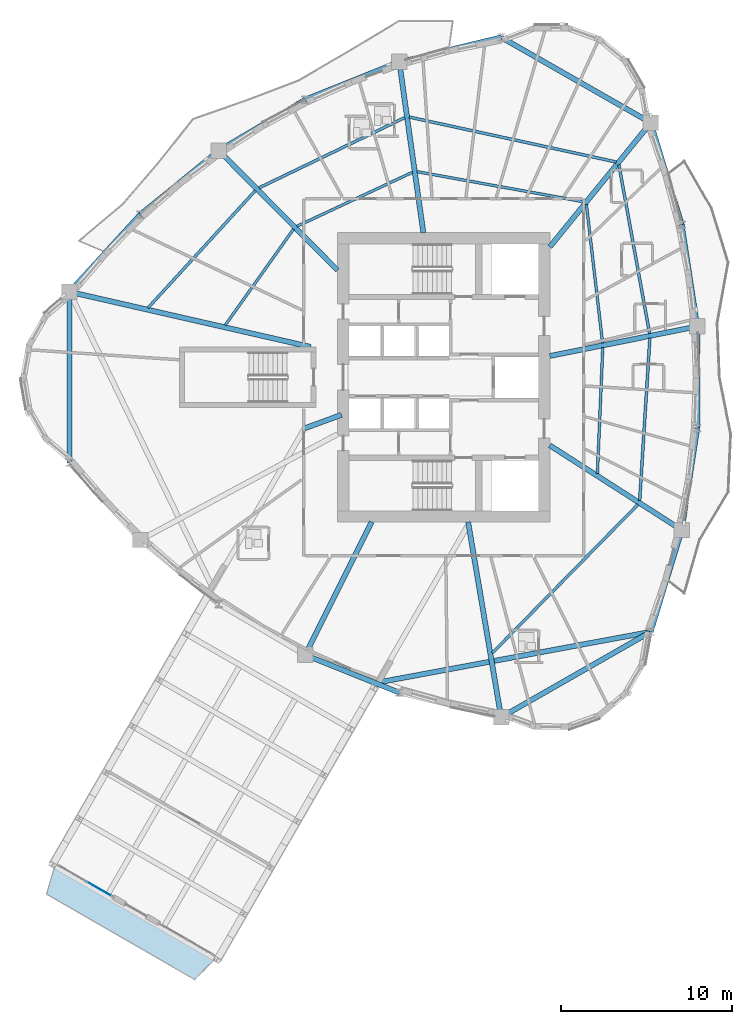
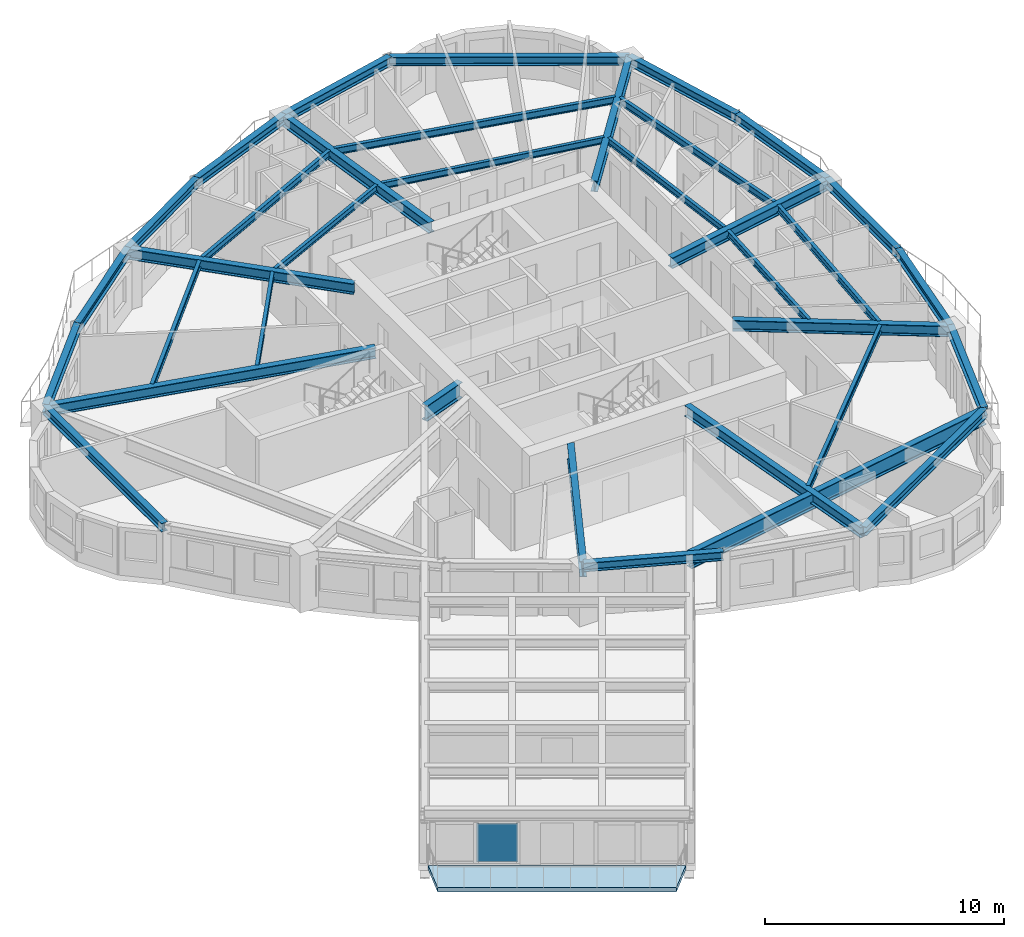
# One storey, part 3 of 17: 35 beams, 1 plate, 1 slab, 1 element without a shape of its own.
"""IFC4 building model written with IfcOpenShell, lengths in metres."""

from ifc_helpers import new_model, si_unit, direction, frame, origin, origin_2d, place, context, subcontext, project, spatial, polyline, rectangle, i_section, outline, extrude, source, transform, mapped, material, layer, layer_set, material_profile, profile_set, type_object, element, aggregate, save


model = new_model("IFC4")

# Units and contexts
model_context = context("Model", 3, precision=1e-05, world=origin(), true_north=direction((0.0, 1.0)))
body_context = subcontext(model_context, "Body", "Model", "MODEL_VIEW")
ifc_project = project(units=[si_unit("LENGTHUNIT", "METRE"), si_unit("AREAUNIT", "SQUARE_METRE"), si_unit("VOLUMEUNIT", "CUBIC_METRE"), si_unit("PLANEANGLEUNIT", "RADIAN"), si_unit("MASSUNIT", "GRAM", prefix="KILO")], contexts=[model_context])

# Site, building, storey
site_placement = place(None, origin())
site = spatial("IfcSite", under=ifc_project, at=site_placement, CompositionType="ELEMENT")
building_placement = place(site_placement, origin())
building = spatial("IfcBuilding", under=site, at=building_placement, Name="Qafzar Sky-Pleat Residences", CompositionType="ELEMENT")
storey_placement = place(building_placement, frame((0.0, 0.0, 112.0)))
storey = spatial("IfcBuildingStorey", under=building, at=storey_placement, Name="L33", CompositionType="ELEMENT", Elevation=112.0)

# Beams
ifc_material_1 = material(Name="Steel S355", Category="steel")
ifc_material_profile_1 = material_profile(ifc_material_1, i_section(OverallWidth=0.300048828125, OverallDepth=0.449951171875, WebThickness=0.013916015625, FlangeThickness=0.02587890625, FilletRadius=0.027099609375, at=origin_2d()), Name="HEB 450")
ifc_profile_set_1 = profile_set([ifc_material_profile_1], Name="Steel S355")
beam_type_1 = type_object("IfcBeamType", Name="BM-SPAN-HEB450", PredefinedType="SPANDREL", material=ifc_profile_set_1)
shared_shape_1 = source(origin(), body_context, "Body", "SweptSolid", [
    extrude(i_section(OverallWidth=0.300048828125, OverallDepth=0.449951171875, WebThickness=0.013916015625, FlangeThickness=0.02587890625, FilletRadius=0.027099609375, at=origin_2d()), origin(), (0.0, 0.0, 1.0), 10.072021484375),
])
for number, where, z_axis, x_axis, name in (
    (1, (33.704345703125, 6.12841796875, 2.7080078125), (0.868302801994, 0.496034519011, 0.0), (-0.496034519011, 0.868302801994, 0.0), "L33 Perimeter Spandrel Beam 7"),
    (2, (42.449951171875, 40.87548828125, 2.7080078125), (-0.868302801994, 0.496034519011, 0.0), (-0.496034519011, -0.868302801994, 0.0), "L33 Perimeter Spandrel Beam 13"),
):
    element("IfcBeam", number, at=place(storey_placement, frame(where, z_axis=z_axis, x_axis=x_axis)), inside=storey, type_object=beam_type_1, Name=name, PredefinedType="SPANDREL", context=body_context, shape_type="MappedRepresentation", body=[
        mapped(shared_shape_1, transform((0.0, 0.0, 0.0), x_axis=(1.0, 0.0, 0.0), y_axis=(0.0, 1.0, 0.0), z_axis=(0.0, 0.0, 1.0), scale=1.0)),
    ])
shared_shape_2 = source(origin(), body_context, "Body", "SweptSolid", [
    extrude(i_section(OverallWidth=0.300048828125, OverallDepth=0.449951171875, WebThickness=0.013916015625, FlangeThickness=0.02587890625, FilletRadius=0.027099609375, at=origin_2d()), origin(), (0.0, 0.0, 1.0), 9.99267578125),
])
beam_1_placement = place(storey_placement, frame((8.47412109375, 30.996337890625, 2.7080078125), z_axis=(0.0, -1.0, 0.0), x_axis=(1.0, 0.0, 0.0)))
element("IfcBeam", 3, at=beam_1_placement, inside=storey, type_object=beam_type_1, Name="L33 Perimeter Spandrel Beam 1", PredefinedType="SPANDREL", context=body_context, shape_type="MappedRepresentation", body=[
    mapped(shared_shape_2, transform((0.0, 0.0, 0.0), x_axis=(1.0, 0.0, 0.0), y_axis=(0.0, 1.0, 0.0), z_axis=(0.0, 0.0, 1.0), scale=1.0)),
])
shared_shape_3 = source(origin(), body_context, "Body", "SweptSolid", [
    extrude(i_section(OverallWidth=0.300048828125, OverallDepth=0.449951171875, WebThickness=0.013916015625, FlangeThickness=0.02587890625, FilletRadius=0.027099609375, at=origin_2d()), origin(), (0.0, 0.0, 1.0), 6.12255859375),
])
beam_2_placement = place(storey_placement, frame((12.61572265625, 35.50537109375, 2.7080078125), z_axis=(-0.676462829948, -0.736476774718, 0.0), x_axis=(0.736476774718, -0.676462829948, 0.0)))
element("IfcBeam", 4, at=beam_2_placement, inside=storey, type_object=beam_type_1, Name="L33 Perimeter Spandrel Beam 18", PredefinedType="SPANDREL", context=body_context, shape_type="MappedRepresentation", body=[
    mapped(shared_shape_3, transform((0.0, 0.0, 0.0), x_axis=(1.0, 0.0, 0.0), y_axis=(0.0, 1.0, 0.0), z_axis=(0.0, 0.0, 1.0), scale=1.0)),
])
shared_shape_4 = source(origin(), body_context, "Body", "SweptSolid", [
    extrude(i_section(OverallWidth=0.300048828125, OverallDepth=0.449951171875, WebThickness=0.013916015625, FlangeThickness=0.02587890625, FilletRadius=0.027099609375, at=origin_2d()), origin(), (0.0, 0.0, 1.0), 5.9248046875),
])
beam_3_placement = place(storey_placement, frame((17.20947265625, 39.247314453125, 2.7080078125), z_axis=(-0.775326900383, -0.631560129792, 0.0), x_axis=(0.631560129792, -0.775326900383, 0.0)))
element("IfcBeam", 5, at=beam_3_placement, inside=storey, type_object=beam_type_1, Name="L33 Perimeter Spandrel Beam 17", PredefinedType="SPANDREL", context=body_context, shape_type="MappedRepresentation", body=[
    mapped(shared_shape_4, transform((0.0, 0.0, 0.0), x_axis=(1.0, 0.0, 0.0), y_axis=(0.0, 1.0, 0.0), z_axis=(0.0, 0.0, 1.0), scale=1.0)),
])
shared_shape_5 = source(origin(), body_context, "Body", "SweptSolid", [
    extrude(i_section(OverallWidth=0.300048828125, OverallDepth=0.449951171875, WebThickness=0.013916015625, FlangeThickness=0.02587890625, FilletRadius=0.027099609375, at=origin_2d()), origin(), (0.0, 0.0, 1.0), 5.85791015625),
])
beam_4_placement = place(storey_placement, frame((22.255615234375, 42.222412109375, 2.7080078125), z_axis=(-0.861428087591, -0.507879562406, 0.0), x_axis=(0.507879562406, -0.861428087591, 0.0)))
element("IfcBeam", 6, at=beam_4_placement, inside=storey, type_object=beam_type_1, Name="L33 Perimeter Spandrel Beam 16", PredefinedType="SPANDREL", context=body_context, shape_type="MappedRepresentation", body=[
    mapped(shared_shape_5, transform((0.0, 0.0, 0.0), x_axis=(1.0, 0.0, 0.0), y_axis=(0.0, 1.0, 0.0), z_axis=(0.0, 0.0, 1.0), scale=1.0)),
])
shared_shape_6 = source(origin(), body_context, "Body", "SweptSolid", [
    extrude(i_section(OverallWidth=0.300048828125, OverallDepth=0.449951171875, WebThickness=0.013916015625, FlangeThickness=0.02587890625, FilletRadius=0.027099609375, at=origin_2d()), origin(), (0.0, 0.0, 1.0), 5.925048828125),
])
for number, where, z_axis, x_axis, name in (
    (7, (22.255615234375, 9.777587890625, 2.7080078125), (0.927955757549, -0.372690370189, 0.0), (0.372690370189, 0.927955757549, 0.0), "L33 Perimeter Spandrel Beam 5"),
    (8, (27.75390625, 44.4306640625, 2.7080078125), (-0.927955757549, -0.372690370189, 0.0), (0.372690370189, -0.927955757549, 0.0), "L33 Perimeter Spandrel Beam 15"),
):
    element("IfcBeam", number, at=place(storey_placement, frame(where, z_axis=z_axis, x_axis=x_axis)), inside=storey, type_object=beam_type_1, Name=name, PredefinedType="SPANDREL", context=body_context, shape_type="MappedRepresentation", body=[
        mapped(shared_shape_6, transform((0.0, 0.0, 0.0), x_axis=(1.0, 0.0, 0.0), y_axis=(0.0, 1.0, 0.0), z_axis=(0.0, 0.0, 1.0), scale=1.0)),
    ])
shared_shape_7 = source(origin(), body_context, "Body", "SweptSolid", [
    extrude(i_section(OverallWidth=0.300048828125, OverallDepth=0.449951171875, WebThickness=0.013916015625, FlangeThickness=0.02587890625, FilletRadius=0.027099609375, at=origin_2d()), origin(), (0.0, 0.0, 1.0), 6.122314453125),
])
beam_5_placement = place(storey_placement, frame((33.704345703125, 45.87158203125, 2.7080078125), z_axis=(-0.971910390101, -0.235351213325, 0.0), x_axis=(0.235351213325, -0.971910390101, 0.0)))
element("IfcBeam", 9, at=beam_5_placement, inside=storey, type_object=beam_type_1, Name="L33 Perimeter Spandrel Beam 14", PredefinedType="SPANDREL", context=body_context, shape_type="MappedRepresentation", body=[
    mapped(shared_shape_7, transform((0.0, 0.0, 0.0), x_axis=(1.0, 0.0, 0.0), y_axis=(0.0, 1.0, 0.0), z_axis=(0.0, 0.0, 1.0), scale=1.0)),
])
shared_shape_8 = source(origin(), body_context, "Body", "SweptSolid", [
    extrude(i_section(OverallWidth=0.300048828125, OverallDepth=0.449951171875, WebThickness=0.013916015625, FlangeThickness=0.02587890625, FilletRadius=0.027099609375, at=origin_2d()), origin(), (0.0, 0.0, 1.0), 6.218994140625),
])
for number, where, z_axis, x_axis, name in (
    (10, (42.449951171875, 11.12451171875, 2.7080078125), (0.29085386248, 0.956767490397, 0.0), (-0.956767490397, 0.29085386248, 0.0), "L33 Perimeter Spandrel Beam 8"),
    (11, (44.2587890625, 34.92529296875, 2.7080078125), (-0.29085386248, 0.956767490397, 0.0), (-0.956767490397, -0.29085386248, 0.0), "L33 Perimeter Spandrel Beam 12"),
):
    element("IfcBeam", number, at=place(storey_placement, frame(where, z_axis=z_axis, x_axis=x_axis)), inside=storey, type_object=beam_type_1, Name=name, PredefinedType="SPANDREL", context=body_context, shape_type="MappedRepresentation", body=[
        mapped(shared_shape_8, transform((0.0, 0.0, 0.0), x_axis=(1.0, 0.0, 0.0), y_axis=(0.0, 1.0, 0.0), z_axis=(0.0, 0.0, 1.0), scale=1.0)),
    ])
shared_shape_9 = source(origin(), body_context, "Body", "SweptSolid", [
    extrude(i_section(OverallWidth=0.300048828125, OverallDepth=0.449951171875, WebThickness=0.013916015625, FlangeThickness=0.02587890625, FilletRadius=0.027099609375, at=origin_2d()), origin(), (0.0, 0.0, 1.0), 6.0185546875),
])
for number, where, z_axis, x_axis, name in (
    (12, (44.2587890625, 17.07470703125, 2.7080078125), (0.150292027839, 0.988641647094, 0.0), (-0.988641647094, 0.150292027839, 0.0), "L33 Perimeter Spandrel Beam 9"),
    (13, (45.163330078125, 28.97509765625, 2.7080078125), (-0.150292027839, 0.988641647094, 0.0), (-0.988641647094, -0.150292027839, 0.0), "L33 Perimeter Spandrel Beam 11"),
):
    element("IfcBeam", number, at=place(storey_placement, frame(where, z_axis=z_axis, x_axis=x_axis)), inside=storey, type_object=beam_type_1, Name=name, PredefinedType="SPANDREL", context=body_context, shape_type="MappedRepresentation", body=[
        mapped(shared_shape_9, transform((0.0, 0.0, 0.0), x_axis=(1.0, 0.0, 0.0), y_axis=(0.0, 1.0, 0.0), z_axis=(0.0, 0.0, 1.0), scale=1.0)),
    ])
shared_shape_10 = source(origin(), body_context, "Body", "SweptSolid", [
    extrude(i_section(OverallWidth=0.300048828125, OverallDepth=0.449951171875, WebThickness=0.013916015625, FlangeThickness=0.02587890625, FilletRadius=0.027099609375, at=origin_2d()), origin(), (0.0, 0.0, 1.0), 5.9501953125),
])
beam_6_placement = place(storey_placement, frame((45.163330078125, 23.02490234375, 2.7080078125), z_axis=(0.0, 1.0, 0.0), x_axis=(-1.0, 0.0, 0.0)))
element("IfcBeam", 14, at=beam_6_placement, inside=storey, type_object=beam_type_1, Name="L33 Perimeter Spandrel Beam 10", PredefinedType="SPANDREL", context=body_context, shape_type="MappedRepresentation", body=[
    mapped(shared_shape_10, transform((0.0, 0.0, 0.0), x_axis=(1.0, 0.0, 0.0), y_axis=(0.0, 1.0, 0.0), z_axis=(0.0, 0.0, 1.0), scale=1.0)),
])
ifc_material_profile_2 = material_profile(ifc_material_1, i_section(OverallWidth=0.300048828125, OverallDepth=0.550048828125, WebThickness=0.014892578125, FlangeThickness=0.029052734375, FilletRadius=0.027099609375, at=origin_2d()), Name="HEB 550")
ifc_profile_set_2 = profile_set([ifc_material_profile_2], Name="Steel S355")
beam_type_2 = type_object("IfcBeamType", Name="BM-GIRD-HEB550", PredefinedType="BEAM", material=ifc_profile_set_2)
shared_shape_11 = source(origin(), body_context, "Body", "SweptSolid", [
    extrude(i_section(OverallWidth=0.300048828125, OverallDepth=0.550048828125, WebThickness=0.014892578125, FlangeThickness=0.029052734375, FilletRadius=0.027099609375, at=origin_2d()), origin(), (0.0, 0.0, 1.0), 14.467529296875),
])
beam_7_placement = place(storey_placement, frame((8.47412109375, 30.996337890625, 2.657958984375), z_axis=(0.974894417423, -0.222667633205, 0.0), x_axis=(0.222667633205, 0.974894417423, 0.0)))
element("IfcBeam", 15, at=beam_7_placement, inside=storey, type_object=beam_type_2, Name="L33 Radial Floor Girder 1", PredefinedType="BEAM", context=body_context, shape_type="MappedRepresentation", body=[
    mapped(shared_shape_11, transform((0.0, 0.0, 0.0), x_axis=(1.0, 0.0, 0.0), y_axis=(0.0, 1.0, 0.0), z_axis=(0.0, 0.0, 1.0), scale=1.0)),
])
ifc_material_2 = material(Name="Steel S460", Category="steel")
ifc_material_profile_3 = material_profile(ifc_material_2, i_section(OverallWidth=0.300048828125, OverallDepth=0.800048828125, WebThickness=0.017578125, FlangeThickness=0.032958984375, FilletRadius=0.030029296875, at=origin_2d()), Name="HEB 800")
ifc_profile_set_3 = profile_set([ifc_material_profile_3], Name="Steel S460")
beam_type_3 = type_object("IfcBeamType", Name="BM-CHORD-HEB800", PredefinedType="BEAM", material=ifc_profile_set_3)
shared_shape_12 = source(origin(), body_context, "Body", "SweptSolid", [
    extrude(i_section(OverallWidth=0.300048828125, OverallDepth=0.800048828125, WebThickness=0.017578125, FlangeThickness=0.032958984375, FilletRadius=0.030029296875, at=origin_2d()), origin(), (0.0, 0.0, 1.0), 8.686279296875),
])
beam_8_placement = place(storey_placement, frame((22.255615234375, 9.777587890625, 2.532958984375), z_axis=(0.446471430543, 0.894797888749, 0.0), x_axis=(-0.894797888749, 0.446471430543, 0.0)))
element("IfcBeam", 16, at=beam_8_placement, inside=storey, type_object=beam_type_3, Name="L33 Radial Floor Girder 5", PredefinedType="BEAM", context=body_context, shape_type="MappedRepresentation", body=[
    mapped(shared_shape_12, transform((0.0, 0.0, 0.0), x_axis=(1.0, 0.0, 0.0), y_axis=(0.0, 1.0, 0.0), z_axis=(0.0, 0.0, 1.0), scale=1.0)),
])
shared_shape_13 = source(origin(), body_context, "Body", "SweptSolid", [
    extrude(i_section(OverallWidth=0.300048828125, OverallDepth=0.550048828125, WebThickness=0.014892578125, FlangeThickness=0.029052734375, FilletRadius=0.027099609375, at=origin_2d()), origin(), (0.0, 0.0, 1.0), 11.583251953125),
])
beam_9_placement = place(storey_placement, frame((33.704345703125, 6.12841796875, 2.657958984375), z_axis=(-0.166445961411, 0.986050577775, 0.0), x_axis=(-0.986050577775, -0.166445961411, 0.0)))
element("IfcBeam", 17, at=beam_9_placement, inside=storey, type_object=beam_type_2, Name="L33 Radial Floor Girder 7", PredefinedType="BEAM", context=body_context, shape_type="MappedRepresentation", body=[
    mapped(shared_shape_13, transform((0.0, 0.0, 0.0), x_axis=(1.0, 0.0, 0.0), y_axis=(0.0, 1.0, 0.0), z_axis=(0.0, 0.0, 1.0), scale=1.0)),
])
shared_shape_14 = source(origin(), body_context, "Body", "SweptSolid", [
    extrude(i_section(OverallWidth=0.300048828125, OverallDepth=0.550048828125, WebThickness=0.014892578125, FlangeThickness=0.029052734375, FilletRadius=0.027099609375, at=origin_2d()), origin(), (0.0, 0.0, 1.0), 9.159423828125),
])
beam_10_placement = place(storey_placement, frame((44.2587890625, 17.07470703125, 2.657958984375), z_axis=(-0.841617276393, 0.540074402352, 0.0), x_axis=(-0.540074402352, -0.841617276393, 0.0)))
element("IfcBeam", 18, at=beam_10_placement, inside=storey, type_object=beam_type_2, Name="L33 Radial Floor Girder 9", PredefinedType="BEAM", context=body_context, shape_type="MappedRepresentation", body=[
    mapped(shared_shape_14, transform((0.0, 0.0, 0.0), x_axis=(1.0, 0.0, 0.0), y_axis=(0.0, 1.0, 0.0), z_axis=(0.0, 0.0, 1.0), scale=1.0)),
])
shared_shape_15 = source(origin(), body_context, "Body", "SweptSolid", [
    extrude(i_section(OverallWidth=0.300048828125, OverallDepth=0.550048828125, WebThickness=0.014892578125, FlangeThickness=0.029052734375, FilletRadius=0.027099609375, at=origin_2d()), origin(), (0.0, 0.0, 1.0), 8.785400390625),
])
beam_11_placement = place(storey_placement, frame((45.163330078125, 28.97509765625, 2.657958984375), z_axis=(-0.980420022931, -0.196917695082, 0.0), x_axis=(0.196917695082, -0.980420022931, 0.0)))
element("IfcBeam", 19, at=beam_11_placement, inside=storey, type_object=beam_type_2, Name="L33 Radial Floor Girder 11", PredefinedType="BEAM", context=body_context, shape_type="MappedRepresentation", body=[
    mapped(shared_shape_15, transform((0.0, 0.0, 0.0), x_axis=(1.0, 0.0, 0.0), y_axis=(0.0, 1.0, 0.0), z_axis=(0.0, 0.0, 1.0), scale=1.0)),
])
shared_shape_16 = source(origin(), body_context, "Body", "SweptSolid", [
    extrude(i_section(OverallWidth=0.300048828125, OverallDepth=0.550048828125, WebThickness=0.014892578125, FlangeThickness=0.029052734375, FilletRadius=0.027099609375, at=origin_2d()), origin(), (0.0, 0.0, 1.0), 9.349609375),
])
beam_12_placement = place(storey_placement, frame((42.449951171875, 40.87548828125, 2.657958984375), z_axis=(-0.631024083188, -0.775763241225, 0.0), x_axis=(0.775763241225, -0.631024083188, 0.0)))
element("IfcBeam", 20, at=beam_12_placement, inside=storey, type_object=beam_type_2, Name="L33 Radial Floor Girder 13", PredefinedType="BEAM", context=body_context, shape_type="MappedRepresentation", body=[
    mapped(shared_shape_16, transform((0.0, 0.0, 0.0), x_axis=(1.0, 0.0, 0.0), y_axis=(0.0, 1.0, 0.0), z_axis=(0.0, 0.0, 1.0), scale=1.0)),
])
shared_shape_17 = source(origin(), body_context, "Body", "SweptSolid", [
    extrude(i_section(OverallWidth=0.300048828125, OverallDepth=0.550048828125, WebThickness=0.014892578125, FlangeThickness=0.029052734375, FilletRadius=0.027099609375, at=origin_2d()), origin(), (0.0, 0.0, 1.0), 10.079345703125),
])
beam_13_placement = place(storey_placement, frame((27.75390625, 44.4306640625, 2.657958984375), z_axis=(0.139471198015, -0.990226128177, 0.0), x_axis=(0.990226128177, 0.139471198015, 0.0)))
element("IfcBeam", 21, at=beam_13_placement, inside=storey, type_object=beam_type_2, Name="L33 Radial Floor Girder 15", PredefinedType="BEAM", context=body_context, shape_type="MappedRepresentation", body=[
    mapped(shared_shape_17, transform((0.0, 0.0, 0.0), x_axis=(1.0, 0.0, 0.0), y_axis=(0.0, 1.0, 0.0), z_axis=(0.0, 0.0, 1.0), scale=1.0)),
])
shared_shape_18 = source(origin(), body_context, "Body", "SweptSolid", [
    extrude(i_section(OverallWidth=0.300048828125, OverallDepth=0.550048828125, WebThickness=0.014892578125, FlangeThickness=0.029052734375, FilletRadius=0.027099609375, at=origin_2d()), origin(), (0.0, 0.0, 1.0), 9.855224609375),
])
beam_14_placement = place(storey_placement, frame((17.20947265625, 39.247314453125, 2.657958984375), z_axis=(0.704239739609, -0.70996224488, 0.0), x_axis=(0.70996224488, 0.704239739609, 0.0)))
element("IfcBeam", 22, at=beam_14_placement, inside=storey, type_object=beam_type_2, Name="L33 Radial Floor Girder 17", PredefinedType="BEAM", context=body_context, shape_type="MappedRepresentation", body=[
    mapped(shared_shape_18, transform((0.0, 0.0, 0.0), x_axis=(1.0, 0.0, 0.0), y_axis=(0.0, 1.0, 0.0), z_axis=(0.0, 0.0, 1.0), scale=1.0)),
])
ifc_material_profile_4 = material_profile(ifc_material_1, i_section(OverallWidth=0.169921875, OverallDepth=0.360107421875, WebThickness=0.008056640625, FlangeThickness=0.0126953125, FilletRadius=0.01806640625, at=origin_2d()), Name="IPE 360")
ifc_profile_set_4 = profile_set([ifc_material_profile_4], Name="Steel S355")
beam_type_4 = type_object("IfcBeamType", Name="BM-JST-IPE360", PredefinedType="JOIST", material=ifc_profile_set_4)
shared_shape_19 = source(origin(), body_context, "Body", "SweptSolid", [
    extrude(i_section(OverallWidth=0.169921875, OverallDepth=0.360107421875, WebThickness=0.008056640625, FlangeThickness=0.0126953125, FilletRadius=0.01806640625, at=origin_2d()), origin(), (0.0, 0.0, 1.0), 12.160888671875),
])
beam_15_placement = place(storey_placement, frame((33.181884765625, 9.879638671875, 2.7529296875), z_axis=(0.700248022954, 0.713899647254, 0.0), x_axis=(-0.713899647254, 0.700248022954, 0.0)))
element("IfcBeam", 23, at=beam_15_placement, inside=storey, type_object=beam_type_4, Name="L33 Outer Secondary Floor Joist 4", PredefinedType="JOIST", context=body_context, shape_type="MappedRepresentation", body=[
    mapped(shared_shape_19, transform((0.0, 0.0, 0.0), x_axis=(1.0, 0.0, 0.0), y_axis=(0.0, 1.0, 0.0), z_axis=(0.0, 0.0, 1.0), scale=1.0)),
])
shared_shape_20 = source(origin(), body_context, "Body", "SweptSolid", [
    extrude(i_section(OverallWidth=0.169921875, OverallDepth=0.360107421875, WebThickness=0.008056640625, FlangeThickness=0.0126953125, FilletRadius=0.01806640625, at=origin_2d()), origin(), (0.0, 0.0, 1.0), 9.51318359375),
])
beam_16_placement = place(storey_placement, frame((41.800537109375, 18.79248046875, 2.7529296875), z_axis=(0.062875168504, 0.998021399162, 0.0), x_axis=(-0.998021399162, 0.062875168504, 0.0)))
element("IfcBeam", 24, at=beam_16_placement, inside=storey, type_object=beam_type_4, Name="L33 Outer Secondary Floor Joist 5", PredefinedType="JOIST", context=body_context, shape_type="MappedRepresentation", body=[
    mapped(shared_shape_20, transform((0.0, 0.0, 0.0), x_axis=(1.0, 0.0, 0.0), y_axis=(0.0, 1.0, 0.0), z_axis=(0.0, 0.0, 1.0), scale=1.0)),
])
shared_shape_21 = source(origin(), body_context, "Body", "SweptSolid", [
    extrude(i_section(OverallWidth=0.169921875, OverallDepth=0.360107421875, WebThickness=0.008056640625, FlangeThickness=0.0126953125, FilletRadius=0.01806640625, at=origin_2d()), origin(), (0.0, 0.0, 1.0), 10.029541015625),
])
beam_17_placement = place(storey_placement, frame((42.3828125, 28.55419921875, 2.7529296875), z_axis=(-0.17913177225, 0.983825090232, 0.0), x_axis=(-0.983825090232, -0.17913177225, 0.0)))
element("IfcBeam", 25, at=beam_17_placement, inside=storey, type_object=beam_type_4, Name="L33 Outer Secondary Floor Joist 6", PredefinedType="JOIST", context=body_context, shape_type="MappedRepresentation", body=[
    mapped(shared_shape_21, transform((0.0, 0.0, 0.0), x_axis=(1.0, 0.0, 0.0), y_axis=(0.0, 1.0, 0.0), z_axis=(0.0, 0.0, 1.0), scale=1.0)),
])
shared_shape_22 = source(origin(), body_context, "Body", "SweptSolid", [
    extrude(i_section(OverallWidth=0.169921875, OverallDepth=0.360107421875, WebThickness=0.008056640625, FlangeThickness=0.0126953125, FilletRadius=0.01806640625, at=origin_2d()), origin(), (0.0, 0.0, 1.0), 12.376220703125),
])
beam_18_placement = place(storey_placement, frame((40.43017578125, 38.5830078125, 2.7529296875), z_axis=(-0.97724325815, 0.212121697145, 0.0), x_axis=(-0.212121697145, -0.97724325815, 0.0)))
element("IfcBeam", 26, at=beam_18_placement, inside=storey, type_object=beam_type_4, Name="L33 Outer Secondary Floor Joist 7", PredefinedType="JOIST", context=body_context, shape_type="MappedRepresentation", body=[
    mapped(shared_shape_22, transform((0.0, 0.0, 0.0), x_axis=(1.0, 0.0, 0.0), y_axis=(0.0, 1.0, 0.0), z_axis=(0.0, 0.0, 1.0), scale=1.0)),
])
shared_shape_23 = source(origin(), body_context, "Body", "SweptSolid", [
    extrude(i_section(OverallWidth=0.169921875, OverallDepth=0.360107421875, WebThickness=0.008056640625, FlangeThickness=0.0126953125, FilletRadius=0.01806640625, at=origin_2d()), origin(), (0.0, 0.0, 1.0), 9.46923828125),
])
beam_19_placement = place(storey_placement, frame((28.08203125, 41.17822265625, 2.7529296875), z_axis=(-0.900825049044, -0.434182255528, 0.0), x_axis=(0.434182255528, -0.900825049044, 0.0)))
element("IfcBeam", 27, at=beam_19_placement, inside=storey, type_object=beam_type_4, Name="L33 Outer Secondary Floor Joist 8", PredefinedType="JOIST", context=body_context, shape_type="MappedRepresentation", body=[
    mapped(shared_shape_23, transform((0.0, 0.0, 0.0), x_axis=(1.0, 0.0, 0.0), y_axis=(0.0, 1.0, 0.0), z_axis=(0.0, 0.0, 1.0), scale=1.0)),
])
shared_shape_24 = source(origin(), body_context, "Body", "SweptSolid", [
    extrude(i_section(OverallWidth=0.169921875, OverallDepth=0.360107421875, WebThickness=0.008056640625, FlangeThickness=0.0126953125, FilletRadius=0.01806640625, at=origin_2d()), origin(), (0.0, 0.0, 1.0), 9.275146484375),
])
beam_20_placement = place(storey_placement, frame((19.33935546875, 36.90869140625, 2.7529296875), z_axis=(-0.67499364596, -0.737823541176, 0.0), x_axis=(0.737823541176, -0.67499364596, 0.0)))
element("IfcBeam", 28, at=beam_20_placement, inside=storey, type_object=beam_type_4, Name="L33 Outer Secondary Floor Joist 9", PredefinedType="JOIST", context=body_context, shape_type="MappedRepresentation", body=[
    mapped(shared_shape_24, transform((0.0, 0.0, 0.0), x_axis=(1.0, 0.0, 0.0), y_axis=(0.0, 1.0, 0.0), z_axis=(0.0, 0.0, 1.0), scale=1.0)),
])
ifc_material_profile_5 = material_profile(ifc_material_1, i_section(OverallWidth=0.159912109375, OverallDepth=0.330078125, WebThickness=0.007568359375, FlangeThickness=0.011474609375, FilletRadius=0.01806640625, at=origin_2d()), Name="IPE 330")
ifc_profile_set_5 = profile_set([ifc_material_profile_5], Name="Steel S355")
beam_type_5 = type_object("IfcBeamType", Name="BM-JST-IPE330", PredefinedType="JOIST", material=ifc_profile_set_5)
shared_shape_25 = source(origin(), body_context, "Body", "SweptSolid", [
    extrude(i_section(OverallWidth=0.159912109375, OverallDepth=0.330078125, WebThickness=0.007568359375, FlangeThickness=0.011474609375, FilletRadius=0.01806640625, at=origin_2d()), origin(), (0.0, 0.0, 1.0), 7.3642578125),
])
beam_21_placement = place(storey_placement, frame((39.3310546875, 20.37548828125, 2.76806640625), z_axis=(0.042633001597, 0.999090800265, 0.0), x_axis=(-0.999090800265, 0.042633001597, 0.0)))
element("IfcBeam", 29, at=beam_21_placement, inside=storey, type_object=beam_type_5, Name="L33 Inner Secondary Floor Joist 5", PredefinedType="JOIST", context=body_context, shape_type="MappedRepresentation", body=[
    mapped(shared_shape_25, transform((0.0, 0.0, 0.0), x_axis=(1.0, 0.0, 0.0), y_axis=(0.0, 1.0, 0.0), z_axis=(0.0, 0.0, 1.0), scale=1.0)),
])
shared_shape_26 = source(origin(), body_context, "Body", "SweptSolid", [
    extrude(i_section(OverallWidth=0.159912109375, OverallDepth=0.330078125, WebThickness=0.007568359375, FlangeThickness=0.011474609375, FilletRadius=0.01806640625, at=origin_2d()), origin(), (0.0, 0.0, 1.0), 8.152099609375),
])
beam_22_placement = place(storey_placement, frame((39.635009765625, 28.002197265625, 2.76806640625), z_axis=(-0.115958503169, 0.993254058911, 0.0), x_axis=(-0.993254058911, -0.115958503169, 0.0)))
element("IfcBeam", 30, at=beam_22_placement, inside=storey, type_object=beam_type_5, Name="L33 Inner Secondary Floor Joist 6", PredefinedType="JOIST", context=body_context, shape_type="MappedRepresentation", body=[
    mapped(shared_shape_26, transform((0.0, 0.0, 0.0), x_axis=(1.0, 0.0, 0.0), y_axis=(0.0, 1.0, 0.0), z_axis=(0.0, 0.0, 1.0), scale=1.0)),
])
shared_shape_27 = source(origin(), body_context, "Body", "SweptSolid", [
    extrude(i_section(OverallWidth=0.159912109375, OverallDepth=0.330078125, WebThickness=0.007568359375, FlangeThickness=0.011474609375, FilletRadius=0.01806640625, at=origin_2d()), origin(), (0.0, 0.0, 1.0), 9.912353515625),
])
beam_23_placement = place(storey_placement, frame((38.541015625, 36.25732421875, 2.76806640625), z_axis=(-0.98407966549, 0.177727915559, 0.0), x_axis=(-0.177727915559, -0.98407966549, 0.0)))
element("IfcBeam", 31, at=beam_23_placement, inside=storey, type_object=beam_type_5, Name="L33 Inner Secondary Floor Joist 7", PredefinedType="JOIST", context=body_context, shape_type="MappedRepresentation", body=[
    mapped(shared_shape_27, transform((0.0, 0.0, 0.0), x_axis=(1.0, 0.0, 0.0), y_axis=(0.0, 1.0, 0.0), z_axis=(0.0, 0.0, 1.0), scale=1.0)),
])
shared_shape_28 = source(origin(), body_context, "Body", "SweptSolid", [
    extrude(i_section(OverallWidth=0.159912109375, OverallDepth=0.330078125, WebThickness=0.007568359375, FlangeThickness=0.011474609375, FilletRadius=0.01806640625, at=origin_2d()), origin(), (0.0, 0.0, 1.0), 7.459716796875),
])
beam_24_placement = place(storey_placement, frame((28.53125, 37.98583984375, 2.76806640625), z_axis=(-0.905880232966, -0.423533946126, 0.0), x_axis=(0.423533946126, -0.905880232966, 0.0)))
element("IfcBeam", 32, at=beam_24_placement, inside=storey, type_object=beam_type_5, Name="L33 Inner Secondary Floor Joist 8", PredefinedType="JOIST", context=body_context, shape_type="MappedRepresentation", body=[
    mapped(shared_shape_28, transform((0.0, 0.0, 0.0), x_axis=(1.0, 0.0, 0.0), y_axis=(0.0, 1.0, 0.0), z_axis=(0.0, 0.0, 1.0), scale=1.0)),
])
shared_shape_29 = source(origin(), body_context, "Body", "SweptSolid", [
    extrude(i_section(OverallWidth=0.159912109375, OverallDepth=0.330078125, WebThickness=0.007568359375, FlangeThickness=0.011474609375, FilletRadius=0.01806640625, at=origin_2d()), origin(), (0.0, 0.0, 1.0), 6.890380859375),
])
beam_25_placement = place(storey_placement, frame((21.5732421875, 34.6591796875, 2.76806640625), z_axis=(-0.579678568702, -0.814845234991, 0.0), x_axis=(0.814845234991, -0.579678568702, 0.0)))
element("IfcBeam", 33, at=beam_25_placement, inside=storey, type_object=beam_type_5, Name="L33 Inner Secondary Floor Joist 9", PredefinedType="JOIST", context=body_context, shape_type="MappedRepresentation", body=[
    mapped(shared_shape_29, transform((0.0, 0.0, 0.0), x_axis=(1.0, 0.0, 0.0), y_axis=(0.0, 1.0, 0.0), z_axis=(0.0, 0.0, 1.0), scale=1.0)),
])
shared_shape_30 = source(origin(), body_context, "Body", "SweptSolid", [
    extrude(i_section(OverallWidth=0.300048828125, OverallDepth=0.800048828125, WebThickness=0.017578125, FlangeThickness=0.032958984375, FilletRadius=0.030029296875, at=origin_2d()), origin(), (0.0, 0.0, 1.0), 2.297119140625),
])
beam_26_placement = place(storey_placement, frame((22.218505859375, 23.015869140625, 2.531005859375), z_axis=(0.938765199412, 0.344557542906, 0.0), x_axis=(-0.344557542906, 0.938765199412, 0.0)))
element("IfcBeam", 34, at=beam_26_placement, inside=storey, type_object=beam_type_3, Name="L33 SB-3 Core Back-Span Tie Girder R", PredefinedType="BEAM", context=body_context, shape_type="MappedRepresentation", body=[
    mapped(shared_shape_30, transform((0.0, 0.0, 0.0), x_axis=(1.0, 0.0, 0.0), y_axis=(0.0, 1.0, 0.0), z_axis=(0.0, 0.0, 1.0), scale=1.0)),
])
shared_shape_31 = source(origin(), body_context, "Body", "SweptSolid", [
    extrude(i_section(OverallWidth=0.300048828125, OverallDepth=0.800048828125, WebThickness=0.017578125, FlangeThickness=0.032958984375, FilletRadius=0.030029296875, at=origin_2d()), origin(), (0.0, 0.0, 1.0), 16.266845703125),
])
beam_27_placement = place(storey_placement, frame((42.449951171875, 11.12451171875, 2.532958984375), z_axis=(-0.983210668892, -0.182474054532, 0.0), x_axis=(0.182474054532, -0.983210668892, 0.0)))
element("IfcBeam", 35, at=beam_27_placement, inside=storey, type_object=beam_type_3, Name="L33 SB-3 Wing-Belt Top Chord L", PredefinedType="BEAM", context=body_context, shape_type="MappedRepresentation", body=[
    mapped(shared_shape_31, transform((0.0, 0.0, 0.0), x_axis=(1.0, 0.0, 0.0), y_axis=(0.0, 1.0, 0.0), z_axis=(0.0, 0.0, 1.0), scale=1.0)),
])

# Slab
ifc_material_3 = material(Name="Concrete C40/50", Category="concrete")
ifc_layer_1 = layer(ifc_material_3, 0.22998046875)
ifc_layer_set_1 = layer_set([ifc_layer_1], Name="Concrete C40/50")
slab_type = type_object("IfcSlabType", Name="SLAB-BAL-230", PredefinedType="USERDEFINED", material=ifc_layer_set_1)
slab_placement = place(storey_placement, frame((0.0, 0.0, -0.22998046875)))
element("IfcSlab", 36, at=slab_placement, inside=storey, type_object=slab_type, Name="L33 SB-3 Tip Observation Balcony", ObjectType="BALCONY", PredefinedType="USERDEFINED", context=body_context, shape_type="SweptSolid", body=[
    extrude(outline(polyline([(7.61083984375, -2.58544921875), (7.1396484375, -4.201416015625), (15.7998046875, -9.201416015625), (16.9638671875, -7.985595703125), (7.61083984375, -2.58544921875)])), origin(), (0.0, 0.0, 1.0), 0.22998046875),
])

# Curtain wall, plate
ifc_material_4 = material(Name="Anodised bronze aluminium framing", Category="aluminium")
ifc_layer_2 = layer(ifc_material_4, 0.219970703125)
ifc_layer_set_2 = layer_set([ifc_layer_2], Name="Anodised bronze aluminium framing")
curtain_wall_type = type_object("IfcCurtainWallType", Name="CW-SYS-03", PredefinedType="NOTDEFINED", material=ifc_layer_set_2)
curtain_wall_placement = place(storey_placement, origin())
curtain_wall = element("IfcCurtainWall", 37, at=curtain_wall_placement, inside=storey, type_object=curtain_wall_type, Name="L33 CW-03 Curtain Wall CW-L33-SB-3-PROW-R", PredefinedType="NOTDEFINED")
ifc_material_5 = material(Name="Solar-control double low-E glazing", Category="glass")
ifc_layer_3 = layer(ifc_material_5, 0.030029296875)
ifc_layer_set_3 = layer_set([ifc_layer_3], Name="Solar-control double low-E glazing")
plate_type = type_object("IfcPlateType", Name="CWP-03", PredefinedType="CURTAIN_PANEL", material=ifc_layer_set_3)
shared_shape_32 = source(origin(), body_context, "Body", "SweptSolid", [
    extrude(rectangle(XDim=1.735107421875, YDim=0.030029296875, at=origin_2d()), origin(), (0.0, 0.0, 1.0), 1.97509765625),
])
plate_placement = place(storey_placement, frame((10.206787109375, -3.893798828125, 0.070068359375), z_axis=(0.0, 0.0, 1.0), x_axis=(-0.866027204994, 0.499996880201, 0.0)))
plate = element("IfcPlate", 38, at=plate_placement, type_object=plate_type, Name="CW-03 panel 1.1", PredefinedType="CURTAIN_PANEL", context=body_context, shape_type="MappedRepresentation", body=[
    mapped(shared_shape_32, transform((0.0, 0.0, 0.0), x_axis=(1.0, 0.0, 0.0), y_axis=(0.0, 1.0, 0.0), z_axis=(0.0, 0.0, 1.0), scale=1.0)),
])
aggregate(curtain_wall, [plate])

save(model, "model.ifc")
